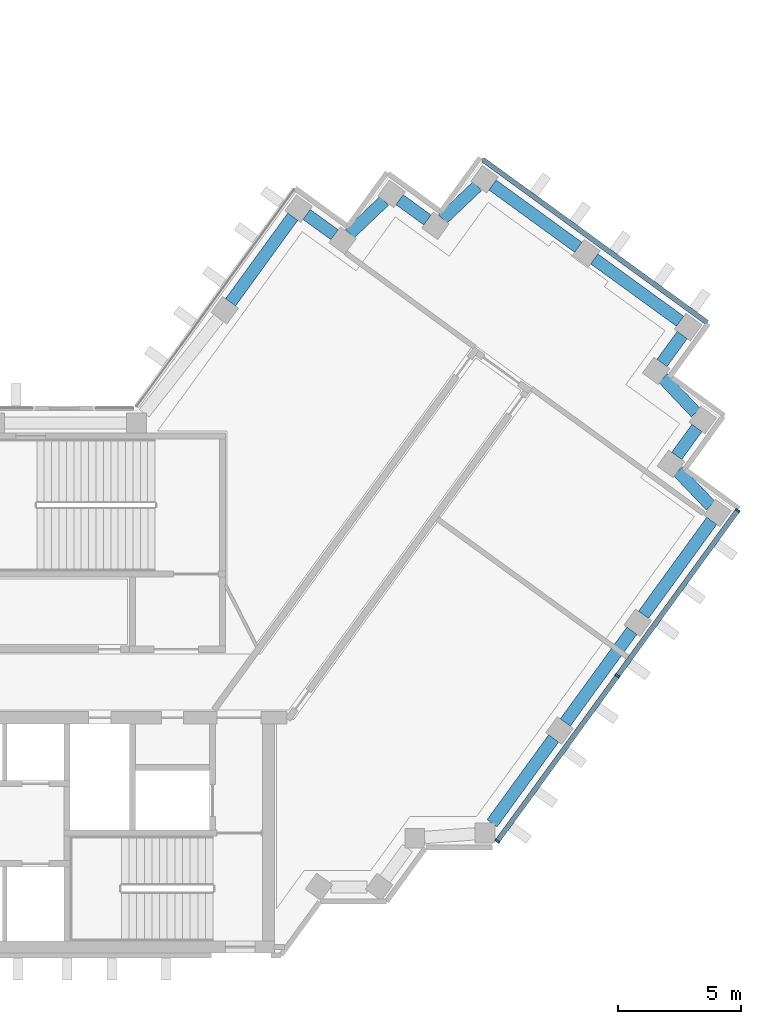
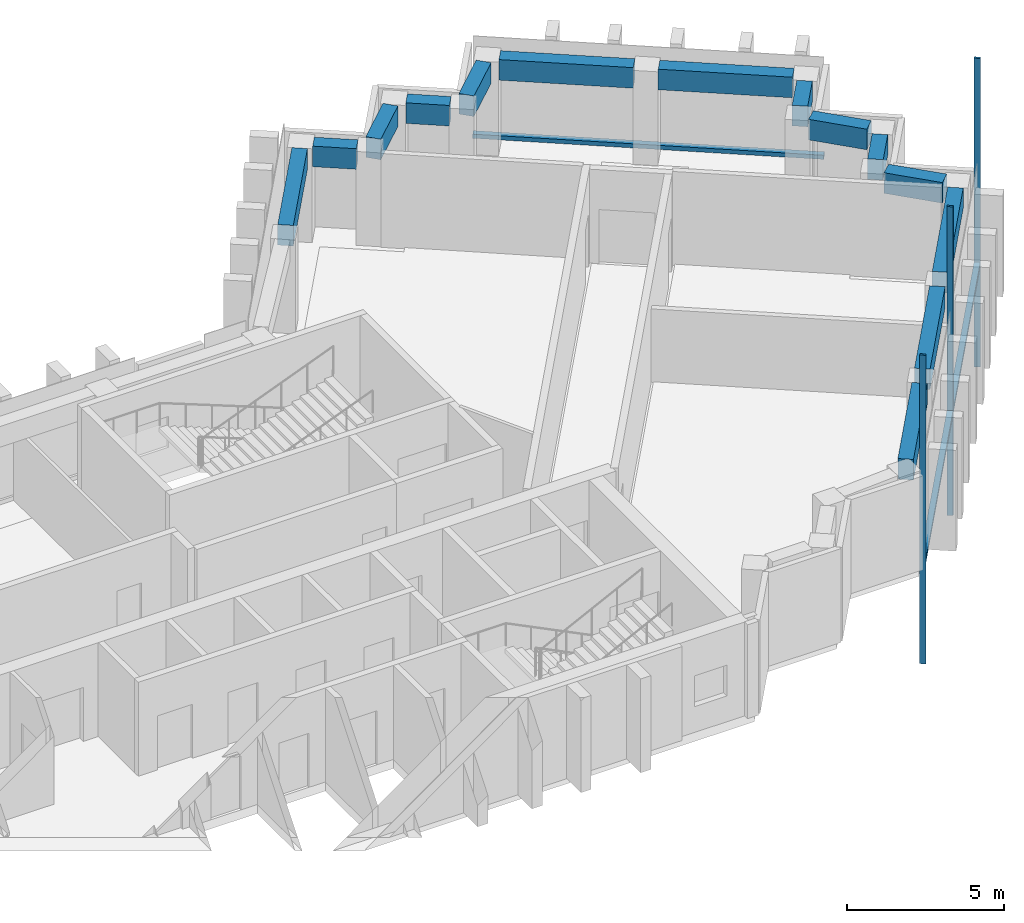
"""IFC4 building model written with IfcOpenShell, lengths in metres."""

from ifc_helpers import new_model, si_unit, direction, frame, origin, origin_2d, place, context, subcontext, project, spatial, rectangle, extrude, material, material_profile, profile_set, type_object, element, aggregate, save


model = new_model("IFC4")

# Units and contexts
model_context = context("Model", 3, precision=1e-05, world=origin(), true_north=direction((0.0, 1.0)))
body_context = subcontext(model_context, "Body", "Model", "MODEL_VIEW")
ifc_project = project(units=[si_unit("LENGTHUNIT", "METRE"), si_unit("AREAUNIT", "SQUARE_METRE"), si_unit("VOLUMEUNIT", "CUBIC_METRE"), si_unit("PLANEANGLEUNIT", "RADIAN"), si_unit("MASSUNIT", "GRAM", prefix="KILO")], contexts=[model_context])

# Site, building, storey
site_placement = place(None, origin())
site = spatial("IfcSite", under=ifc_project, at=site_placement, CompositionType="ELEMENT")
building_placement = place(site_placement, origin())
building = spatial("IfcBuilding", under=site, at=building_placement, Name="Quipu Civic Tower", CompositionType="ELEMENT")
storey_1_placement = place(building_placement, frame((0.0, 0.0, 214.0)))
storey_1 = spatial("IfcBuildingStorey", under=building, at=storey_1_placement, Name="L50", CompositionType="ELEMENT", Elevation=214.0)

# Curtain wall, members
ifc_material_1 = material(Name="Insulated glass unit", Category="glass")
curtain_wall_type = type_object("IfcCurtainWallType", Name="Office curtain wall CW1", PredefinedType="NOTDEFINED", material=ifc_material_1)
curtain_wall_1_placement = place(storey_1_placement, origin())
curtain_wall_1 = element("IfcCurtainWall", 1, at=curtain_wall_1_placement, inside=storey_1, type_object=curtain_wall_type, Name="Office curtain wall CW1 L49 run 4", PredefinedType="NOTDEFINED")
ifc_material_2 = material(Name="Anodised aluminium", Category="aluminium")
ifc_material_profile_1 = material_profile(ifc_material_2, rectangle(XDim=0.199951171875, YDim=0.080078125, at=origin_2d()), Name="RECT 200x80")
ifc_profile_set_1 = profile_set([ifc_material_profile_1], Name="Anodised aluminium")
member_type_1 = type_object("IfcMemberType", Name="Mullion CW1", PredefinedType="MULLION", material=ifc_profile_set_1)
member_1_placement = place(storey_1_placement, frame((29.029296875, -6.45654296875, -3.919921875), z_axis=(0.0, 0.0, 1.0), x_axis=(-0.809015868502, 0.58778680192, 0.0)))
member_1 = element("IfcMember", 2, at=member_1_placement, type_object=member_type_1, Name="CW1 mullion 1", PredefinedType="MULLION", context=body_context, shape_type="SweptSolid", body=[
    extrude(rectangle(XDim=0.199951171875, YDim=0.080078125, at=origin_2d()), origin(), (0.0, 0.0, 1.0), 12.0),
])
member_2_placement = place(storey_1_placement, frame((33.90087890625, 0.24853515625, -3.919921875), z_axis=(0.0, 0.0, 1.0), x_axis=(-0.809015868502, 0.58778680192, 0.0)))
member_2 = element("IfcMember", 3, at=member_2_placement, type_object=member_type_1, Name="CW1 mullion 2", PredefinedType="MULLION", context=body_context, shape_type="SweptSolid", body=[
    extrude(rectangle(XDim=0.199951171875, YDim=0.080078125, at=origin_2d()), origin(), (0.0, 0.0, 1.0), 12.0),
])
member_3_placement = place(storey_1_placement, frame((38.772705078125, 6.953857421875, -3.919921875), z_axis=(0.0, 0.0, 1.0), x_axis=(-0.809015868502, 0.58778680192, 0.0)))
member_3 = element("IfcMember", 4, at=member_3_placement, type_object=member_type_1, Name="CW1 mullion 3", PredefinedType="MULLION", context=body_context, shape_type="SweptSolid", body=[
    extrude(rectangle(XDim=0.199951171875, YDim=0.080078125, at=origin_2d()), origin(), (0.0, 0.0, 1.0), 12.0),
])

# Beams
ifc_material_3 = material(Name="Concrete C50/60", Category="concrete")
ifc_material_profile_2 = material_profile(ifc_material_3, rectangle(XDim=0.5, YDim=0.800048828125, at=origin_2d()), Name="RC500x800")
ifc_profile_set_2 = profile_set([ifc_material_profile_2], Name="Concrete C50/60")
beam_type = type_object("IfcBeamType", Name="Spandrel beam RC 500x800 C50/60", PredefinedType="SPANDREL", material=ifc_profile_set_2)
beam_1_placement = place(storey_1_placement, frame((28.815673828125, -5.72998046875, 3.25), z_axis=(0.58776850526, 0.809029161541, 0.0), x_axis=(-0.809029161541, 0.58776850526, 0.0)))
element("IfcBeam", 5, at=beam_1_placement, inside=storey_1, type_object=beam_type, Name="Spandrel beam L50 J-Eo.4 to E-OUT-01", PredefinedType="SPANDREL", context=body_context, shape_type="SweptSolid", body=[
    extrude(rectangle(XDim=0.5, YDim=0.800048828125, at=origin_2d()), origin(), (0.0, 0.0, 1.0), 4.249267578125),
])
beam_2_placement = place(storey_1_placement, frame((31.783447265625, -1.64501953125, 3.25), z_axis=(0.587796098864, 0.809009113768, 0.0), x_axis=(-0.809009113768, 0.587796098864, 0.0)))
element("IfcBeam", 6, at=beam_2_placement, inside=storey_1, type_object=beam_type, Name="Spandrel beam L50 E-OUT-01 to E-OUT-02", PredefinedType="SPANDREL", context=body_context, shape_type="SweptSolid", body=[
    extrude(rectangle(XDim=0.5, YDim=0.800048828125, at=origin_2d()), origin(), (0.0, 0.0, 1.0), 4.60009765625),
])
beam_3_placement = place(storey_1_placement, frame((34.95751953125, 2.7236328125, 3.25), z_axis=(0.587891029962, 0.808940131833, 0.0), x_axis=(-0.808940131833, 0.587891029962, 0.0)))
element("IfcBeam", 7, at=beam_3_placement, inside=storey_1, type_object=beam_type, Name="Spandrel beam L50 E-OUT-02 to T-Eo.0-E22", PredefinedType="SPANDREL", context=body_context, shape_type="SweptSolid", body=[
    extrude(rectangle(XDim=0.5, YDim=0.800048828125, at=origin_2d()), origin(), (0.0, 0.0, 1.0), 4.707275390625),
])
beam_4_placement = place(storey_1_placement, frame((37.6796875, 7.149658203125, 3.25), z_axis=(-0.689191109061, 0.724579612735, 0.0), x_axis=(-0.724579612735, -0.689191109061, 0.0)))
element("IfcBeam", 8, at=beam_4_placement, inside=storey_1, type_object=beam_type, Name="Spandrel beam L50 T-Eo.0-E22 to T-Eo.1-E22", PredefinedType="SPANDREL", context=body_context, shape_type="SweptSolid", body=[
    extrude(rectangle(XDim=0.5, YDim=0.800048828125, at=origin_2d()), origin(), (0.0, 0.0, 1.0), 1.931640625),
])
beam_5_placement = place(storey_1_placement, frame((36.302978515625, 9.16796875, 3.25), z_axis=(0.58725897397, 0.809399096547, 0.0), x_axis=(-0.809399096547, 0.58725897397, 0.0)))
element("IfcBeam", 9, at=beam_5_placement, inside=storey_1, type_object=beam_type, Name="Spandrel beam L50 T-Eo.1-E22 to T-Eo.2-E22", PredefinedType="SPANDREL", context=body_context, shape_type="SweptSolid", body=[
    extrude(rectangle(XDim=0.5, YDim=0.800048828125, at=origin_2d()), origin(), (0.0, 0.0, 1.0), 1.400146484375),
])
beam_6_placement = place(storey_1_placement, frame((37.080078125, 10.920166015625, 3.25), z_axis=(-0.688280901551, 0.725444278053, 0.0), x_axis=(-0.725444278053, -0.688280901551, 0.0)))
element("IfcBeam", 10, at=beam_6_placement, inside=storey_1, type_object=beam_type, Name="Spandrel beam L50 T-Eo.2-E22 to T-Eo.3-E22", PredefinedType="SPANDREL", context=body_context, shape_type="SweptSolid", body=[
    extrude(rectangle(XDim=0.5, YDim=0.800048828125, at=origin_2d()), origin(), (0.0, 0.0, 1.0), 1.931396484375),
])
beam_7_placement = place(storey_1_placement, frame((35.7060546875, 12.93994140625, 3.25), z_axis=(0.58841024035, 0.808562544922, 0.0), x_axis=(-0.808562544922, 0.58841024035, 0.0)))
element("IfcBeam", 11, at=beam_7_placement, inside=storey_1, type_object=beam_type, Name="Spandrel beam L50 T-Eo.3-E22 to T-Eo.4-E22", PredefinedType="SPANDREL", context=body_context, shape_type="SweptSolid", body=[
    extrude(rectangle(XDim=0.5, YDim=0.800048828125, at=origin_2d()), origin(), (0.0, 0.0, 1.0), 1.3994140625),
])
beam_8_placement = place(storey_1_placement, frame((36.44140625, 14.630126953125, 3.25), z_axis=(-0.809153076016, 0.587597906373, 0.0), x_axis=(-0.587597906373, -0.809153076016, 0.0)))
element("IfcBeam", 12, at=beam_8_placement, inside=storey_1, type_object=beam_type, Name="Spandrel beam L50 T-Eo.4-E22 to TIP-E-01-E22", PredefinedType="SPANDREL", context=body_context, shape_type="SweptSolid", body=[
    extrude(rectangle(XDim=0.5, YDim=0.800048828125, at=origin_2d()), origin(), (0.0, 0.0, 1.0), 4.302001953125),
])
beam_9_placement = place(storey_1_placement, frame((32.313232421875, 17.6279296875, 3.25), z_axis=(-0.80911644178, 0.587648350327, 0.0), x_axis=(-0.587648350327, -0.80911644178, 0.0)))
element("IfcBeam", 13, at=beam_9_placement, inside=storey_1, type_object=beam_type, Name="Spandrel beam L50 TIP-E-01-E22 to T-Ei.0-E22", PredefinedType="SPANDREL", context=body_context, shape_type="SweptSolid", body=[
    extrude(rectangle(XDim=0.5, YDim=0.800048828125, at=origin_2d()), origin(), (0.0, 0.0, 1.0), 4.30029296875),
])
beam_10_placement = place(storey_1_placement, frame((28.21484375, 20.10986328125, 3.25), z_axis=(-0.725384387405, -0.688344020464, 0.0), x_axis=(0.688344020464, -0.725384387405, 0.0)))
element("IfcBeam", 14, at=beam_10_placement, inside=storey_1, type_object=beam_type, Name="Spandrel beam L50 T-Ei.0-E22 to T-Ei.1-E22", PredefinedType="SPANDREL", context=body_context, shape_type="SweptSolid", body=[
    extrude(rectangle(XDim=0.5, YDim=0.800048828125, at=origin_2d()), origin(), (0.0, 0.0, 1.0), 1.93115234375),
])
beam_11_placement = place(storey_1_placement, frame((26.195556640625, 18.73583984375, 3.25), z_axis=(-0.808600329101, 0.588358315805, 0.0), x_axis=(-0.588358315805, -0.808600329101, 0.0)))
element("IfcBeam", 15, at=beam_11_placement, inside=storey_1, type_object=beam_type, Name="Spandrel beam L50 T-Ei.1-E22 to T-Ei.2-E22", PredefinedType="SPANDREL", context=body_context, shape_type="SweptSolid", body=[
    extrude(rectangle(XDim=0.5, YDim=0.800048828125, at=origin_2d()), origin(), (0.0, 0.0, 1.0), 1.400146484375),
])
beam_12_placement = place(storey_1_placement, frame((24.445068359375, 19.514892578125, 3.25), z_axis=(-0.72506883804, -0.688676397232, 0.0), x_axis=(0.688676397232, -0.72506883804, 0.0)))
element("IfcBeam", 16, at=beam_12_placement, inside=storey_1, type_object=beam_type, Name="Spandrel beam L50 T-Ei.2-E22 to T-Ei.3-E22", PredefinedType="SPANDREL", context=body_context, shape_type="SweptSolid", body=[
    extrude(rectangle(XDim=0.5, YDim=0.800048828125, at=origin_2d()), origin(), (0.0, 0.0, 1.0), 1.93212890625),
])
beam_13_placement = place(storey_1_placement, frame((22.425537109375, 18.13916015625, 3.25), z_axis=(-0.809452764948, 0.587184997524, 0.0), x_axis=(-0.587184997524, -0.809452764948, 0.0)))
element("IfcBeam", 17, at=beam_13_placement, inside=storey_1, type_object=beam_type, Name="Spandrel beam L50 T-Ei.3-E22 to T-Ei.4-E22", PredefinedType="SPANDREL", context=body_context, shape_type="SweptSolid", body=[
    extrude(rectangle(XDim=0.5, YDim=0.800048828125, at=origin_2d()), origin(), (0.0, 0.0, 1.0), 1.398193359375),
])
beam_14_placement = place(storey_1_placement, frame((20.734619140625, 18.87158203125, 3.25), z_axis=(-0.58812775221, -0.808768042816, 0.0), x_axis=(0.808768042816, -0.58812775221, 0.0)))
element("IfcBeam", 18, at=beam_14_placement, inside=storey_1, type_object=beam_type, Name="Spandrel beam L50 T-Ei.4-E22 to E-IN-01", PredefinedType="SPANDREL", context=body_context, shape_type="SweptSolid", body=[
    extrude(rectangle(XDim=0.5, YDim=0.800048828125, at=origin_2d()), origin(), (0.0, 0.0, 1.0), 4.29443359375),
])

# Storey
storey_2_placement = place(building_placement, frame((0.0, 0.0, 210.0)))
storey_2 = spatial("IfcBuildingStorey", under=building, at=storey_2_placement, Name="L49", CompositionType="ELEMENT", Elevation=210.0)

# Curtain wall, member
curtain_wall_2_placement = place(storey_2_placement, origin())
curtain_wall_2 = element("IfcCurtainWall", 19, at=curtain_wall_2_placement, inside=storey_2, type_object=curtain_wall_type, Name="Office curtain wall CW1 L48 run 28", PredefinedType="NOTDEFINED")
ifc_material_4 = material(Name="Anodised aluminium", Category="aluminium")
ifc_material_profile_3 = material_profile(ifc_material_4, rectangle(XDim=0.199951171875, YDim=0.159912109375, at=origin_2d()), Name="RECT 200x160")
ifc_profile_set_3 = profile_set([ifc_material_profile_3], Name="Anodised aluminium")
member_type_2 = type_object("IfcMemberType", Name="Transom CW1", PredefinedType="USERDEFINED", material=ifc_profile_set_3)
member_4_placement = place(storey_1_placement, frame((37.536865234375, 14.575927734375, 0.080078125), z_axis=(-0.809022463805, 0.587777724194, 0.0), x_axis=(-0.587777724194, -0.809022463805, 0.0)))
member_4 = element("IfcMember", 20, at=member_4_placement, inside=storey_1, type_object=member_type_2, Name="CW1 transom 1.3", ObjectType="TRANSOM", PredefinedType="USERDEFINED", context=body_context, shape_type="SweptSolid", body=[
    extrude(rectangle(XDim=0.199951171875, YDim=0.159912109375, at=origin_2d()), origin(), (0.0, 0.0, 1.0), 11.240234375),
])
aggregate(curtain_wall_2, [member_4])

# Member
member_5_placement = place(storey_1_placement, frame((29.052978515625, -6.424072265625, 0.080078125), z_axis=(0.587780770372, 0.809020250662, 0.0), x_axis=(-0.809020250662, 0.587780770372, 0.0)))
member_5 = element("IfcMember", 21, at=member_5_placement, type_object=member_type_2, Name="CW1 transom 1.2", ObjectType="TRANSOM", PredefinedType="USERDEFINED", context=body_context, shape_type="SweptSolid", body=[
    extrude(rectangle(XDim=0.199951171875, YDim=0.159912109375, at=origin_2d()), origin(), (0.0, 0.0, 1.0), 8.2080078125),
])

member_6_placement = place(storey_1_placement, frame((33.924560546875, 0.281005859375, 0.080078125), z_axis=(0.587780770372, 0.809020250662, 0.0), x_axis=(-0.809020250662, 0.587780770372, 0.0)))
member_6 = element("IfcMember", 22, at=member_6_placement, type_object=member_type_2, Name="CW1 transom 2.2", ObjectType="TRANSOM", PredefinedType="USERDEFINED", context=body_context, shape_type="SweptSolid", body=[
    extrude(rectangle(XDim=0.199951171875, YDim=0.159912109375, at=origin_2d()), origin(), (0.0, 0.0, 1.0), 8.2080078125),
])

aggregate(curtain_wall_1, [member_1, member_2, member_3, member_5, member_6])

save(model, "model.ifc")
